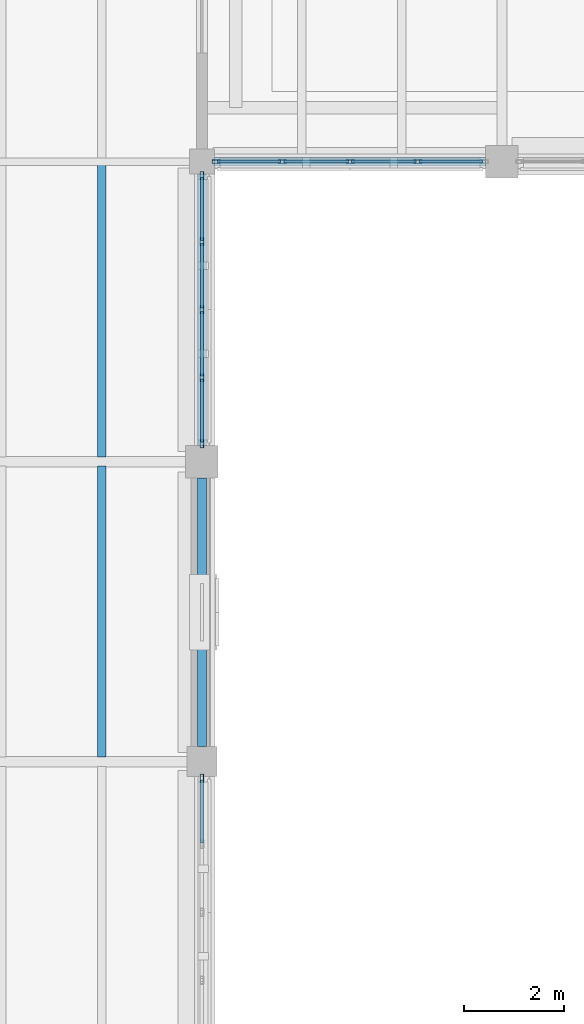
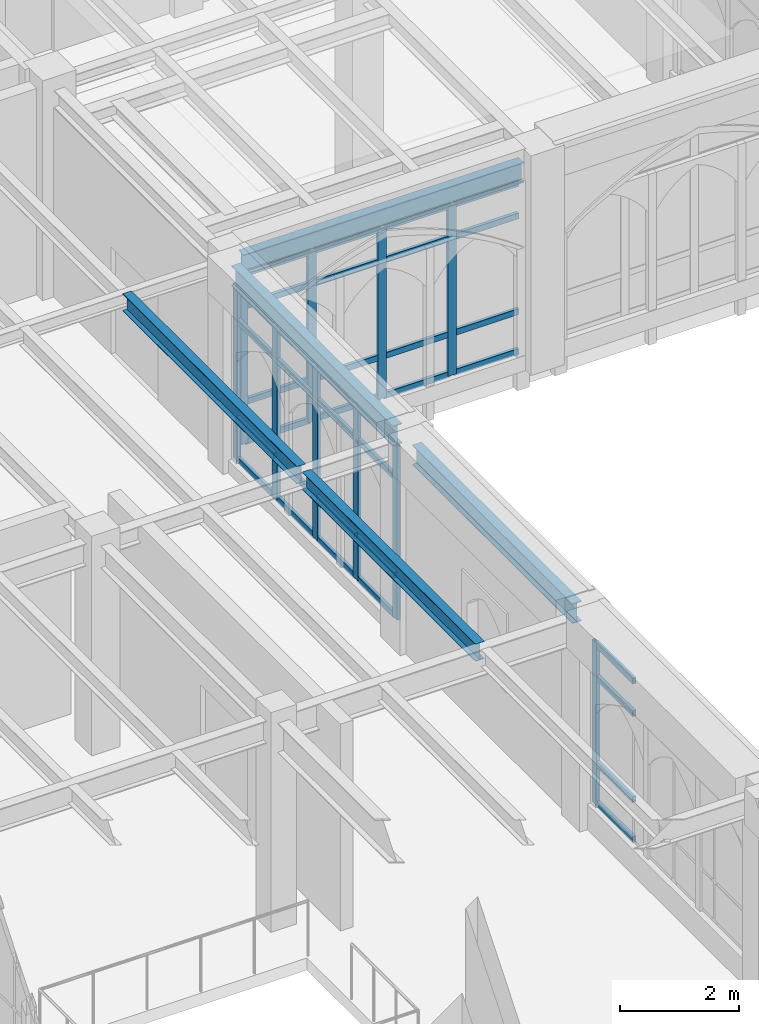
# One storey, part 40 of 127: 46 members, 5 beams, 3 elements without a shape of their own.
"""IFC4 building model written with IfcOpenShell, lengths in metres."""

from ifc_helpers import new_model, si_unit, direction, frame, origin, origin_2d, place, context, subcontext, project, spatial, hollow_rectangle, i_section, extrude, material, layer, layer_set, material_profile, profile_set, type_object, element, aggregate, save


model = new_model("IFC4")

# Units and contexts
model_context = context("Model", 3, precision=1e-05, world=origin(), true_north=direction((0.0, 1.0)))
body_context = subcontext(model_context, "Body", "Model", "MODEL_VIEW")
ifc_project = project(units=[si_unit("LENGTHUNIT", "METRE"), si_unit("AREAUNIT", "SQUARE_METRE"), si_unit("VOLUMEUNIT", "CUBIC_METRE"), si_unit("PLANEANGLEUNIT", "RADIAN"), si_unit("MASSUNIT", "GRAM", prefix="KILO")], contexts=[model_context])

# Site, building, storey
site_placement = place(None, origin())
site = spatial("IfcSite", under=ifc_project, at=site_placement, CompositionType="ELEMENT")
building_placement = place(site_placement, origin())
building = spatial("IfcBuilding", under=site, at=building_placement, Name="Cumevento Cable Car Station", CompositionType="ELEMENT")
storey_placement = place(building_placement, frame((0.0, 0.0, 4.5)))
storey = spatial("IfcBuildingStorey", under=building, at=storey_placement, Name="L02", CompositionType="ELEMENT", Elevation=4.5)

# Curtain wall, member
ifc_material_1 = material(Name="Anodised Bronze Aluminium AW-6063-T6", Category="aluminium")
ifc_layer_1 = layer(ifc_material_1, 0.201904296875)
ifc_layer_set_1 = layer_set([ifc_layer_1], Name="Anodised Bronze Aluminium AW-6063-T6")
curtain_wall_type_1 = type_object("IfcCurtainWallType", Name="Lancet Curtain Wall CW-08 1330", PredefinedType="NOTDEFINED", material=ifc_layer_set_1)
curtain_wall_1_placement = place(storey_placement, origin())
curtain_wall_1 = element("IfcCurtainWall", 1, at=curtain_wall_1_placement, inside=storey, type_object=curtain_wall_type_1, Name="Lancet Curtain Wall CW-08 L02 #39", PredefinedType="NOTDEFINED")
ifc_material_2 = material(Name="Anodised Bronze Aluminium AW-6063-T6", Category="aluminium")
ifc_material_profile_1 = material_profile(ifc_material_2, hollow_rectangle(XDim=0.06494140625, YDim=0.159912109375, WallThickness=0.00390625, at=origin_2d()), Name="ALUM65x160x4")
ifc_profile_set_1 = profile_set([ifc_material_profile_1], Name="Anodised Bronze Aluminium AW-6063-T6")
member_type_1 = type_object("IfcMemberType", Name="Curtain Mullion CWM-01 ALUM65x160x4", PredefinedType="MULLION", material=ifc_profile_set_1)
member_1_placement = place(storey_placement, frame((70.0, 20.66748046875, 0.52001953125), z_axis=(0.0, 0.0, 1.0), x_axis=(1.0, 0.0, 0.0)))
member_1 = element("IfcMember", 2, at=member_1_placement, type_object=member_type_1, Name="CW-08 mullion 1", PredefinedType="MULLION", context=body_context, shape_type="SweptSolid", body=[
    extrude(hollow_rectangle(XDim=0.06494140625, YDim=0.159912109375, WallThickness=0.00390625, at=origin_2d()), origin(), (0.0, 0.0, 1.0), 3.31298828125),
])

# Curtain wall, members
ifc_material_3 = material(Name="Anodised Bronze Aluminium AW-6063-T6", Category="aluminium")
ifc_layer_2 = layer(ifc_material_3, 0.219970703125)
ifc_layer_set_2 = layer_set([ifc_layer_2], Name="Anodised Bronze Aluminium AW-6063-T6")
curtain_wall_type_2 = type_object("IfcCurtainWallType", Name="Lancet Curtain Wall CW-11 1450", PredefinedType="NOTDEFINED", material=ifc_layer_set_2)
curtain_wall_2_placement = place(storey_placement, origin())
curtain_wall_2 = element("IfcCurtainWall", 3, at=curtain_wall_2_placement, inside=storey, type_object=curtain_wall_type_2, Name="Lancet Curtain Wall CW-11 L02 #42", PredefinedType="NOTDEFINED")
member_2_placement = place(storey_placement, frame((70.0, 32.717529296875, 0.260009765625), z_axis=(0.0, 0.0, 1.0), x_axis=(1.0, 0.0, 0.0)))
member_2 = element("IfcMember", 4, at=member_2_placement, type_object=member_type_1, Name="CW-11 mullion 1", PredefinedType="MULLION", context=body_context, shape_type="SweptSolid", body=[
    extrude(hollow_rectangle(XDim=0.06494140625, YDim=0.159912109375, WallThickness=0.00390625, at=origin_2d()), origin(), (0.0, 0.0, 1.0), 3.56103515625),
])
member_3_placement = place(storey_placement, frame((70.0, 31.393798828125, 0.260009765625), z_axis=(0.0, 0.0, 1.0), x_axis=(1.0, 0.0, 0.0)))
member_3 = element("IfcMember", 5, at=member_3_placement, type_object=member_type_1, Name="CW-11 mullion 2", PredefinedType="MULLION", context=body_context, shape_type="SweptSolid", body=[
    extrude(hollow_rectangle(XDim=0.06494140625, YDim=0.159912109375, WallThickness=0.00390625, at=origin_2d()), origin(), (0.0, 0.0, 1.0), 3.56103515625),
])
member_4_placement = place(storey_placement, frame((70.0, 30.03759765625, 0.260009765625), z_axis=(0.0, 0.0, 1.0), x_axis=(1.0, 0.0, 0.0)))
member_4 = element("IfcMember", 6, at=member_4_placement, type_object=member_type_1, Name="CW-11 mullion 3", PredefinedType="MULLION", context=body_context, shape_type="SweptSolid", body=[
    extrude(hollow_rectangle(XDim=0.06494140625, YDim=0.159912109375, WallThickness=0.00390625, at=origin_2d()), origin(), (0.0, 0.0, 1.0), 3.56103515625),
])
member_5_placement = place(storey_placement, frame((70.0, 28.68115234375, 0.260009765625), z_axis=(0.0, 0.0, 1.0), x_axis=(1.0, 0.0, 0.0)))
member_5 = element("IfcMember", 7, at=member_5_placement, type_object=member_type_1, Name="CW-11 mullion 4", PredefinedType="MULLION", context=body_context, shape_type="SweptSolid", body=[
    extrude(hollow_rectangle(XDim=0.06494140625, YDim=0.159912109375, WallThickness=0.00390625, at=origin_2d()), origin(), (0.0, 0.0, 1.0), 3.56103515625),
])
member_6_placement = place(storey_placement, frame((70.0, 27.357421875, 0.260009765625), z_axis=(0.0, 0.0, 1.0), x_axis=(1.0, 0.0, 0.0)))
member_6 = element("IfcMember", 8, at=member_6_placement, type_object=member_type_1, Name="CW-11 mullion 5", PredefinedType="MULLION", context=body_context, shape_type="SweptSolid", body=[
    extrude(hollow_rectangle(XDim=0.06494140625, YDim=0.159912109375, WallThickness=0.00390625, at=origin_2d()), origin(), (0.0, 0.0, 1.0), 3.56103515625),
])

ifc_material_4 = material(Name="Anodised Bronze Aluminium AW-6063-T6", Category="aluminium")
ifc_layer_3 = layer(ifc_material_4, 0.22607421875)
ifc_layer_set_3 = layer_set([ifc_layer_3], Name="Anodised Bronze Aluminium AW-6063-T6")
curtain_wall_type_3 = type_object("IfcCurtainWallType", Name="Lancet Curtain Wall CW-12 1490", PredefinedType="NOTDEFINED", material=ifc_layer_set_3)
curtain_wall_3_placement = place(storey_placement, origin())
curtain_wall_3 = element("IfcCurtainWall", 9, at=curtain_wall_3_placement, inside=storey, type_object=curtain_wall_type_3, Name="Lancet Curtain Wall CW-12 L02 #43", PredefinedType="NOTDEFINED")
member_7_placement = place(storey_placement, frame((74.31884765625, 33.0, 0.31005859375), z_axis=(0.0, 0.0, 1.0), x_axis=(0.0, -1.0, 0.0)))
member_7 = element("IfcMember", 10, at=member_7_placement, type_object=member_type_1, Name="CW-12 mullion 2", PredefinedType="MULLION", context=body_context, shape_type="SweptSolid", body=[
    extrude(hollow_rectangle(XDim=0.06494140625, YDim=0.159912109375, WallThickness=0.00390625, at=origin_2d()), origin(), (0.0, 0.0, 1.0), 3.510986328125),
])
member_8_placement = place(storey_placement, frame((72.96240234375, 33.0, 0.31005859375), z_axis=(0.0, 0.0, 1.0), x_axis=(0.0, -1.0, 0.0)))
member_8 = element("IfcMember", 11, at=member_8_placement, type_object=member_type_1, Name="CW-12 mullion 3", PredefinedType="MULLION", context=body_context, shape_type="SweptSolid", body=[
    extrude(hollow_rectangle(XDim=0.06494140625, YDim=0.159912109375, WallThickness=0.00390625, at=origin_2d()), origin(), (0.0, 0.0, 1.0), 3.510986328125),
])
member_9_placement = place(storey_placement, frame((71.606201171875, 33.0, 0.31005859375), z_axis=(0.0, 0.0, 1.0), x_axis=(0.0, -1.0, 0.0)))
member_9 = element("IfcMember", 12, at=member_9_placement, type_object=member_type_1, Name="CW-12 mullion 4", PredefinedType="MULLION", context=body_context, shape_type="SweptSolid", body=[
    extrude(hollow_rectangle(XDim=0.06494140625, YDim=0.159912109375, WallThickness=0.00390625, at=origin_2d()), origin(), (0.0, 0.0, 1.0), 3.510986328125),
])
member_10_placement = place(storey_placement, frame((70.282470703125, 33.0, 0.31005859375), z_axis=(0.0, 0.0, 1.0), x_axis=(0.0, -1.0, 0.0)))
member_10 = element("IfcMember", 13, at=member_10_placement, type_object=member_type_1, Name="CW-12 mullion 5", PredefinedType="MULLION", context=body_context, shape_type="SweptSolid", body=[
    extrude(hollow_rectangle(XDim=0.06494140625, YDim=0.159912109375, WallThickness=0.00390625, at=origin_2d()), origin(), (0.0, 0.0, 1.0), 3.510986328125),
])

# Member
ifc_material_5 = material(Name="Anodised Bronze Aluminium AW-6063-T6", Category="aluminium")
ifc_material_profile_2 = material_profile(ifc_material_5, hollow_rectangle(XDim=0.06494140625, YDim=0.1201171875, WallThickness=0.00390625, at=origin_2d()), Name="ALUT65x120x4")
ifc_profile_set_2 = profile_set([ifc_material_profile_2], Name="Anodised Bronze Aluminium AW-6063-T6")
member_type_2 = type_object("IfcMemberType", Name="Curtain Transom CWT-01 ALUT65x120x4", PredefinedType="USERDEFINED", material=ifc_profile_set_2)
member_11_placement = place(storey_placement, frame((70.0, 20.635009765625, 0.552490234375), z_axis=(0.0, -1.0, 0.0), x_axis=(1.0, 0.0, 0.0)))
member_11 = element("IfcMember", 14, at=member_11_placement, type_object=member_type_2, Name="CW-08 transom 1.1", ObjectType="TRANSOM", PredefinedType="USERDEFINED", context=body_context, shape_type="SweptSolid", body=[
    extrude(hollow_rectangle(XDim=0.06494140625, YDim=0.1201171875, WallThickness=0.00390625, at=origin_2d()), origin(), (0.0, 0.0, 1.0), 1.2587890625),
])

member_12_placement = place(storey_placement, frame((70.0, 20.635009765625, 1.3701171875), z_axis=(0.0, -1.0, 0.0), x_axis=(1.0, 0.0, 0.0)))
member_12 = element("IfcMember", 15, at=member_12_placement, type_object=member_type_2, Name="CW-08 transom 1.2", ObjectType="TRANSOM", PredefinedType="USERDEFINED", context=body_context, shape_type="SweptSolid", body=[
    extrude(hollow_rectangle(XDim=0.06494140625, YDim=0.1201171875, WallThickness=0.00390625, at=origin_2d()), origin(), (0.0, 0.0, 1.0), 1.2587890625),
])

member_13_placement = place(storey_placement, frame((70.0, 20.635009765625, 3.133056640625), z_axis=(0.0, -1.0, 0.0), x_axis=(1.0, 0.0, 0.0)))
member_13 = element("IfcMember", 16, at=member_13_placement, type_object=member_type_2, Name="CW-08 transom 1.3", ObjectType="TRANSOM", PredefinedType="USERDEFINED", context=body_context, shape_type="SweptSolid", body=[
    extrude(hollow_rectangle(XDim=0.06494140625, YDim=0.1201171875, WallThickness=0.00390625, at=origin_2d()), origin(), (0.0, 0.0, 1.0), 1.2587890625),
])

member_14_placement = place(storey_placement, frame((70.0, 20.635009765625, 3.800537109375), z_axis=(0.0, -1.0, 0.0), x_axis=(1.0, 0.0, 0.0)))
member_14 = element("IfcMember", 17, at=member_14_placement, type_object=member_type_2, Name="CW-08 transom 1.4", ObjectType="TRANSOM", PredefinedType="USERDEFINED", context=body_context, shape_type="SweptSolid", body=[
    extrude(hollow_rectangle(XDim=0.06494140625, YDim=0.1201171875, WallThickness=0.00390625, at=origin_2d()), origin(), (0.0, 0.0, 1.0), 1.2587890625),
])

aggregate(curtain_wall_1, [member_1, member_11, member_12, member_13, member_14])

member_15_placement = place(storey_placement, frame((70.0, 32.68505859375, 0.29248046875), z_axis=(0.0, -1.0, 0.0), x_axis=(1.0, 0.0, 0.0)))
member_15 = element("IfcMember", 18, at=member_15_placement, type_object=member_type_2, Name="CW-11 transom 1.1", ObjectType="TRANSOM", PredefinedType="USERDEFINED", context=body_context, shape_type="SweptSolid", body=[
    extrude(hollow_rectangle(XDim=0.06494140625, YDim=0.1201171875, WallThickness=0.00390625, at=origin_2d()), origin(), (0.0, 0.0, 1.0), 1.2587890625),
])

member_16_placement = place(storey_placement, frame((70.0, 32.68505859375, 1.110107421875), z_axis=(0.0, -1.0, 0.0), x_axis=(1.0, 0.0, 0.0)))
member_16 = element("IfcMember", 19, at=member_16_placement, type_object=member_type_2, Name="CW-11 transom 1.2", ObjectType="TRANSOM", PredefinedType="USERDEFINED", context=body_context, shape_type="SweptSolid", body=[
    extrude(hollow_rectangle(XDim=0.06494140625, YDim=0.1201171875, WallThickness=0.00390625, at=origin_2d()), origin(), (0.0, 0.0, 1.0), 1.2587890625),
])

member_17_placement = place(storey_placement, frame((70.0, 32.68505859375, 3.12109375), z_axis=(0.0, -1.0, 0.0), x_axis=(1.0, 0.0, 0.0)))
member_17 = element("IfcMember", 20, at=member_17_placement, type_object=member_type_2, Name="CW-11 transom 1.3", ObjectType="TRANSOM", PredefinedType="USERDEFINED", context=body_context, shape_type="SweptSolid", body=[
    extrude(hollow_rectangle(XDim=0.06494140625, YDim=0.1201171875, WallThickness=0.00390625, at=origin_2d()), origin(), (0.0, 0.0, 1.0), 1.2587890625),
])

member_18_placement = place(storey_placement, frame((70.0, 32.68505859375, 3.78857421875), z_axis=(0.0, -1.0, 0.0), x_axis=(1.0, 0.0, 0.0)))
member_18 = element("IfcMember", 21, at=member_18_placement, type_object=member_type_2, Name="CW-11 transom 1.4", ObjectType="TRANSOM", PredefinedType="USERDEFINED", context=body_context, shape_type="SweptSolid", body=[
    extrude(hollow_rectangle(XDim=0.06494140625, YDim=0.1201171875, WallThickness=0.00390625, at=origin_2d()), origin(), (0.0, 0.0, 1.0), 1.2587890625),
])

member_19_placement = place(storey_placement, frame((70.0, 31.361328125, 0.29248046875), z_axis=(0.0, -1.0, 0.0), x_axis=(1.0, 0.0, 0.0)))
member_19 = element("IfcMember", 22, at=member_19_placement, type_object=member_type_2, Name="CW-11 transom 2.1", ObjectType="TRANSOM", PredefinedType="USERDEFINED", context=body_context, shape_type="SweptSolid", body=[
    extrude(hollow_rectangle(XDim=0.06494140625, YDim=0.1201171875, WallThickness=0.00390625, at=origin_2d()), origin(), (0.0, 0.0, 1.0), 1.291259765625),
])

member_20_placement = place(storey_placement, frame((70.0, 31.361328125, 1.110107421875), z_axis=(0.0, -1.0, 0.0), x_axis=(1.0, 0.0, 0.0)))
member_20 = element("IfcMember", 23, at=member_20_placement, type_object=member_type_2, Name="CW-11 transom 2.2", ObjectType="TRANSOM", PredefinedType="USERDEFINED", context=body_context, shape_type="SweptSolid", body=[
    extrude(hollow_rectangle(XDim=0.06494140625, YDim=0.1201171875, WallThickness=0.00390625, at=origin_2d()), origin(), (0.0, 0.0, 1.0), 1.291259765625),
])

member_21_placement = place(storey_placement, frame((70.0, 31.361328125, 3.12109375), z_axis=(0.0, -1.0, 0.0), x_axis=(1.0, 0.0, 0.0)))
member_21 = element("IfcMember", 24, at=member_21_placement, type_object=member_type_2, Name="CW-11 transom 2.3", ObjectType="TRANSOM", PredefinedType="USERDEFINED", context=body_context, shape_type="SweptSolid", body=[
    extrude(hollow_rectangle(XDim=0.06494140625, YDim=0.1201171875, WallThickness=0.00390625, at=origin_2d()), origin(), (0.0, 0.0, 1.0), 1.291259765625),
])

member_22_placement = place(storey_placement, frame((70.0, 31.361328125, 3.78857421875), z_axis=(0.0, -1.0, 0.0), x_axis=(1.0, 0.0, 0.0)))
member_22 = element("IfcMember", 25, at=member_22_placement, type_object=member_type_2, Name="CW-11 transom 2.4", ObjectType="TRANSOM", PredefinedType="USERDEFINED", context=body_context, shape_type="SweptSolid", body=[
    extrude(hollow_rectangle(XDim=0.06494140625, YDim=0.1201171875, WallThickness=0.00390625, at=origin_2d()), origin(), (0.0, 0.0, 1.0), 1.291259765625),
])

member_23_placement = place(storey_placement, frame((70.0, 30.0048828125, 0.29248046875), z_axis=(0.0, -1.0, 0.0), x_axis=(1.0, 0.0, 0.0)))
member_23 = element("IfcMember", 26, at=member_23_placement, type_object=member_type_2, Name="CW-11 transom 3.1", ObjectType="TRANSOM", PredefinedType="USERDEFINED", context=body_context, shape_type="SweptSolid", body=[
    extrude(hollow_rectangle(XDim=0.06494140625, YDim=0.1201171875, WallThickness=0.00390625, at=origin_2d()), origin(), (0.0, 0.0, 1.0), 1.291015625),
])

member_24_placement = place(storey_placement, frame((70.0, 30.0048828125, 1.110107421875), z_axis=(0.0, -1.0, 0.0), x_axis=(1.0, 0.0, 0.0)))
member_24 = element("IfcMember", 27, at=member_24_placement, type_object=member_type_2, Name="CW-11 transom 3.2", ObjectType="TRANSOM", PredefinedType="USERDEFINED", context=body_context, shape_type="SweptSolid", body=[
    extrude(hollow_rectangle(XDim=0.06494140625, YDim=0.1201171875, WallThickness=0.00390625, at=origin_2d()), origin(), (0.0, 0.0, 1.0), 1.291015625),
])

member_25_placement = place(storey_placement, frame((70.0, 30.0048828125, 3.12109375), z_axis=(0.0, -1.0, 0.0), x_axis=(1.0, 0.0, 0.0)))
member_25 = element("IfcMember", 28, at=member_25_placement, type_object=member_type_2, Name="CW-11 transom 3.3", ObjectType="TRANSOM", PredefinedType="USERDEFINED", context=body_context, shape_type="SweptSolid", body=[
    extrude(hollow_rectangle(XDim=0.06494140625, YDim=0.1201171875, WallThickness=0.00390625, at=origin_2d()), origin(), (0.0, 0.0, 1.0), 1.291015625),
])

member_26_placement = place(storey_placement, frame((70.0, 30.0048828125, 3.78857421875), z_axis=(0.0, -1.0, 0.0), x_axis=(1.0, 0.0, 0.0)))
member_26 = element("IfcMember", 29, at=member_26_placement, type_object=member_type_2, Name="CW-11 transom 3.4", ObjectType="TRANSOM", PredefinedType="USERDEFINED", context=body_context, shape_type="SweptSolid", body=[
    extrude(hollow_rectangle(XDim=0.06494140625, YDim=0.1201171875, WallThickness=0.00390625, at=origin_2d()), origin(), (0.0, 0.0, 1.0), 1.291015625),
])

member_27_placement = place(storey_placement, frame((70.0, 28.648681640625, 0.29248046875), z_axis=(0.0, -1.0, 0.0), x_axis=(1.0, 0.0, 0.0)))
member_27 = element("IfcMember", 30, at=member_27_placement, type_object=member_type_2, Name="CW-11 transom 4.1", ObjectType="TRANSOM", PredefinedType="USERDEFINED", context=body_context, shape_type="SweptSolid", body=[
    extrude(hollow_rectangle(XDim=0.06494140625, YDim=0.1201171875, WallThickness=0.00390625, at=origin_2d()), origin(), (0.0, 0.0, 1.0), 1.2587890625),
])

member_28_placement = place(storey_placement, frame((70.0, 28.648681640625, 1.110107421875), z_axis=(0.0, -1.0, 0.0), x_axis=(1.0, 0.0, 0.0)))
member_28 = element("IfcMember", 31, at=member_28_placement, type_object=member_type_2, Name="CW-11 transom 4.2", ObjectType="TRANSOM", PredefinedType="USERDEFINED", context=body_context, shape_type="SweptSolid", body=[
    extrude(hollow_rectangle(XDim=0.06494140625, YDim=0.1201171875, WallThickness=0.00390625, at=origin_2d()), origin(), (0.0, 0.0, 1.0), 1.2587890625),
])

member_29_placement = place(storey_placement, frame((70.0, 28.648681640625, 3.12109375), z_axis=(0.0, -1.0, 0.0), x_axis=(1.0, 0.0, 0.0)))
member_29 = element("IfcMember", 32, at=member_29_placement, type_object=member_type_2, Name="CW-11 transom 4.3", ObjectType="TRANSOM", PredefinedType="USERDEFINED", context=body_context, shape_type="SweptSolid", body=[
    extrude(hollow_rectangle(XDim=0.06494140625, YDim=0.1201171875, WallThickness=0.00390625, at=origin_2d()), origin(), (0.0, 0.0, 1.0), 1.2587890625),
])

member_30_placement = place(storey_placement, frame((70.0, 28.648681640625, 3.78857421875), z_axis=(0.0, -1.0, 0.0), x_axis=(1.0, 0.0, 0.0)))
member_30 = element("IfcMember", 33, at=member_30_placement, type_object=member_type_2, Name="CW-11 transom 4.4", ObjectType="TRANSOM", PredefinedType="USERDEFINED", context=body_context, shape_type="SweptSolid", body=[
    extrude(hollow_rectangle(XDim=0.06494140625, YDim=0.1201171875, WallThickness=0.00390625, at=origin_2d()), origin(), (0.0, 0.0, 1.0), 1.2587890625),
])

aggregate(curtain_wall_2, [member_2, member_3, member_4, member_5, member_6, member_15, member_16, member_17, member_18, member_19, member_20, member_21, member_22, member_23, member_24, member_25, member_26, member_27, member_28, member_29, member_30])

member_31_placement = place(storey_placement, frame((75.610107421875, 33.0, 0.342529296875), z_axis=(-1.0, 0.0, 0.0), x_axis=(0.0, -1.0, 0.0)))
member_31 = element("IfcMember", 34, at=member_31_placement, type_object=member_type_2, Name="CW-12 transom 1.1", ObjectType="TRANSOM", PredefinedType="USERDEFINED", context=body_context, shape_type="SweptSolid", body=[
    extrude(hollow_rectangle(XDim=0.06494140625, YDim=0.1201171875, WallThickness=0.00390625, at=origin_2d()), origin(), (0.0, 0.0, 1.0), 1.2587890625),
])

member_32_placement = place(storey_placement, frame((75.610107421875, 33.0, 1.159912109375), z_axis=(-1.0, 0.0, 0.0), x_axis=(0.0, -1.0, 0.0)))
member_32 = element("IfcMember", 35, at=member_32_placement, type_object=member_type_2, Name="CW-12 transom 1.2", ObjectType="TRANSOM", PredefinedType="USERDEFINED", context=body_context, shape_type="SweptSolid", body=[
    extrude(hollow_rectangle(XDim=0.06494140625, YDim=0.1201171875, WallThickness=0.00390625, at=origin_2d()), origin(), (0.0, 0.0, 1.0), 1.2587890625),
])

member_33_placement = place(storey_placement, frame((75.610107421875, 33.0, 3.12109375), z_axis=(-1.0, 0.0, 0.0), x_axis=(0.0, -1.0, 0.0)))
member_33 = element("IfcMember", 36, at=member_33_placement, type_object=member_type_2, Name="CW-12 transom 1.3", ObjectType="TRANSOM", PredefinedType="USERDEFINED", context=body_context, shape_type="SweptSolid", body=[
    extrude(hollow_rectangle(XDim=0.06494140625, YDim=0.1201171875, WallThickness=0.00390625, at=origin_2d()), origin(), (0.0, 0.0, 1.0), 1.2587890625),
])

member_34_placement = place(storey_placement, frame((75.610107421875, 33.0, 3.78857421875), z_axis=(-1.0, 0.0, 0.0), x_axis=(0.0, -1.0, 0.0)))
member_34 = element("IfcMember", 37, at=member_34_placement, type_object=member_type_2, Name="CW-12 transom 1.4", ObjectType="TRANSOM", PredefinedType="USERDEFINED", context=body_context, shape_type="SweptSolid", body=[
    extrude(hollow_rectangle(XDim=0.06494140625, YDim=0.1201171875, WallThickness=0.00390625, at=origin_2d()), origin(), (0.0, 0.0, 1.0), 1.2587890625),
])

member_35_placement = place(storey_placement, frame((74.2861328125, 33.0, 0.342529296875), z_axis=(-1.0, 0.0, 0.0), x_axis=(0.0, -1.0, 0.0)))
member_35 = element("IfcMember", 38, at=member_35_placement, type_object=member_type_2, Name="CW-12 transom 2.1", ObjectType="TRANSOM", PredefinedType="USERDEFINED", context=body_context, shape_type="SweptSolid", body=[
    extrude(hollow_rectangle(XDim=0.06494140625, YDim=0.1201171875, WallThickness=0.00390625, at=origin_2d()), origin(), (0.0, 0.0, 1.0), 1.291015625),
])

member_36_placement = place(storey_placement, frame((74.2861328125, 33.0, 1.159912109375), z_axis=(-1.0, 0.0, 0.0), x_axis=(0.0, -1.0, 0.0)))
member_36 = element("IfcMember", 39, at=member_36_placement, type_object=member_type_2, Name="CW-12 transom 2.2", ObjectType="TRANSOM", PredefinedType="USERDEFINED", context=body_context, shape_type="SweptSolid", body=[
    extrude(hollow_rectangle(XDim=0.06494140625, YDim=0.1201171875, WallThickness=0.00390625, at=origin_2d()), origin(), (0.0, 0.0, 1.0), 1.291015625),
])

member_37_placement = place(storey_placement, frame((74.2861328125, 33.0, 3.12109375), z_axis=(-1.0, 0.0, 0.0), x_axis=(0.0, -1.0, 0.0)))
member_37 = element("IfcMember", 40, at=member_37_placement, type_object=member_type_2, Name="CW-12 transom 2.3", ObjectType="TRANSOM", PredefinedType="USERDEFINED", context=body_context, shape_type="SweptSolid", body=[
    extrude(hollow_rectangle(XDim=0.06494140625, YDim=0.1201171875, WallThickness=0.00390625, at=origin_2d()), origin(), (0.0, 0.0, 1.0), 1.291015625),
])

member_38_placement = place(storey_placement, frame((74.2861328125, 33.0, 3.78857421875), z_axis=(-1.0, 0.0, 0.0), x_axis=(0.0, -1.0, 0.0)))
member_38 = element("IfcMember", 41, at=member_38_placement, type_object=member_type_2, Name="CW-12 transom 2.4", ObjectType="TRANSOM", PredefinedType="USERDEFINED", context=body_context, shape_type="SweptSolid", body=[
    extrude(hollow_rectangle(XDim=0.06494140625, YDim=0.1201171875, WallThickness=0.00390625, at=origin_2d()), origin(), (0.0, 0.0, 1.0), 1.291015625),
])

member_39_placement = place(storey_placement, frame((72.929931640625, 33.0, 0.342529296875), z_axis=(-1.0, 0.0, 0.0), x_axis=(0.0, -1.0, 0.0)))
member_39 = element("IfcMember", 42, at=member_39_placement, type_object=member_type_2, Name="CW-12 transom 3.1", ObjectType="TRANSOM", PredefinedType="USERDEFINED", context=body_context, shape_type="SweptSolid", body=[
    extrude(hollow_rectangle(XDim=0.06494140625, YDim=0.1201171875, WallThickness=0.00390625, at=origin_2d()), origin(), (0.0, 0.0, 1.0), 1.291259765625),
])

member_40_placement = place(storey_placement, frame((72.929931640625, 33.0, 1.159912109375), z_axis=(-1.0, 0.0, 0.0), x_axis=(0.0, -1.0, 0.0)))
member_40 = element("IfcMember", 43, at=member_40_placement, type_object=member_type_2, Name="CW-12 transom 3.2", ObjectType="TRANSOM", PredefinedType="USERDEFINED", context=body_context, shape_type="SweptSolid", body=[
    extrude(hollow_rectangle(XDim=0.06494140625, YDim=0.1201171875, WallThickness=0.00390625, at=origin_2d()), origin(), (0.0, 0.0, 1.0), 1.291259765625),
])

member_41_placement = place(storey_placement, frame((72.929931640625, 33.0, 3.12109375), z_axis=(-1.0, 0.0, 0.0), x_axis=(0.0, -1.0, 0.0)))
member_41 = element("IfcMember", 44, at=member_41_placement, type_object=member_type_2, Name="CW-12 transom 3.3", ObjectType="TRANSOM", PredefinedType="USERDEFINED", context=body_context, shape_type="SweptSolid", body=[
    extrude(hollow_rectangle(XDim=0.06494140625, YDim=0.1201171875, WallThickness=0.00390625, at=origin_2d()), origin(), (0.0, 0.0, 1.0), 1.291259765625),
])

member_42_placement = place(storey_placement, frame((72.929931640625, 33.0, 3.78857421875), z_axis=(-1.0, 0.0, 0.0), x_axis=(0.0, -1.0, 0.0)))
member_42 = element("IfcMember", 45, at=member_42_placement, type_object=member_type_2, Name="CW-12 transom 3.4", ObjectType="TRANSOM", PredefinedType="USERDEFINED", context=body_context, shape_type="SweptSolid", body=[
    extrude(hollow_rectangle(XDim=0.06494140625, YDim=0.1201171875, WallThickness=0.00390625, at=origin_2d()), origin(), (0.0, 0.0, 1.0), 1.291259765625),
])

member_43_placement = place(storey_placement, frame((71.57373046875, 33.0, 0.342529296875), z_axis=(-1.0, 0.0, 0.0), x_axis=(0.0, -1.0, 0.0)))
member_43 = element("IfcMember", 46, at=member_43_placement, type_object=member_type_2, Name="CW-12 transom 4.1", ObjectType="TRANSOM", PredefinedType="USERDEFINED", context=body_context, shape_type="SweptSolid", body=[
    extrude(hollow_rectangle(XDim=0.06494140625, YDim=0.1201171875, WallThickness=0.00390625, at=origin_2d()), origin(), (0.0, 0.0, 1.0), 1.2587890625),
])

member_44_placement = place(storey_placement, frame((71.57373046875, 33.0, 1.159912109375), z_axis=(-1.0, 0.0, 0.0), x_axis=(0.0, -1.0, 0.0)))
member_44 = element("IfcMember", 47, at=member_44_placement, type_object=member_type_2, Name="CW-12 transom 4.2", ObjectType="TRANSOM", PredefinedType="USERDEFINED", context=body_context, shape_type="SweptSolid", body=[
    extrude(hollow_rectangle(XDim=0.06494140625, YDim=0.1201171875, WallThickness=0.00390625, at=origin_2d()), origin(), (0.0, 0.0, 1.0), 1.2587890625),
])

member_45_placement = place(storey_placement, frame((71.57373046875, 33.0, 3.12109375), z_axis=(-1.0, 0.0, 0.0), x_axis=(0.0, -1.0, 0.0)))
member_45 = element("IfcMember", 48, at=member_45_placement, type_object=member_type_2, Name="CW-12 transom 4.3", ObjectType="TRANSOM", PredefinedType="USERDEFINED", context=body_context, shape_type="SweptSolid", body=[
    extrude(hollow_rectangle(XDim=0.06494140625, YDim=0.1201171875, WallThickness=0.00390625, at=origin_2d()), origin(), (0.0, 0.0, 1.0), 1.2587890625),
])

member_46_placement = place(storey_placement, frame((71.57373046875, 33.0, 3.78857421875), z_axis=(-1.0, 0.0, 0.0), x_axis=(0.0, -1.0, 0.0)))
member_46 = element("IfcMember", 49, at=member_46_placement, type_object=member_type_2, Name="CW-12 transom 4.4", ObjectType="TRANSOM", PredefinedType="USERDEFINED", context=body_context, shape_type="SweptSolid", body=[
    extrude(hollow_rectangle(XDim=0.06494140625, YDim=0.1201171875, WallThickness=0.00390625, at=origin_2d()), origin(), (0.0, 0.0, 1.0), 1.2587890625),
])

aggregate(curtain_wall_3, [member_7, member_8, member_9, member_10, member_31, member_32, member_33, member_34, member_35, member_36, member_37, member_38, member_39, member_40, member_41, member_42, member_43, member_44, member_45, member_46])

# Beams
ifc_material_6 = material(Name="Steel ASTM A572 Grade 50", Category="steel")
ifc_material_profile_3 = material_profile(ifc_material_6, i_section(OverallWidth=0.1708984375, OverallDepth=0.35498046875, WebThickness=0.007080078125, FlangeThickness=0.01171875, at=origin_2d()), Name="W360x51.0")
ifc_profile_set_3 = profile_set([ifc_material_profile_3], Name="Steel ASTM A572 Grade 50")
beam_type_1 = type_object("IfcBeamType", Name="Structural Joist JS-01 W360x51.0", PredefinedType="JOIST", material=ifc_profile_set_3)
beam_1_placement = place(storey_placement, frame((68.0, 21.093505859375, 4.0625), z_axis=(0.0, 1.0, 0.0), x_axis=(-1.0, 0.0, 0.0)))
element("IfcBeam", 50, at=beam_1_placement, inside=storey, type_object=beam_type_1, Name="Composite Floor Joist JS-01 L02 #767", PredefinedType="JOIST", context=body_context, shape_type="SweptSolid", body=[
    extrude(i_section(OverallWidth=0.1708984375, OverallDepth=0.35498046875, WebThickness=0.007080078125, FlangeThickness=0.01171875, at=origin_2d()), origin(), (0.0, 0.0, 1.0), 5.81591796875),
])
beam_2_placement = place(storey_placement, frame((68.0, 27.090576171875, 4.0625), z_axis=(0.0, 1.0, 0.0), x_axis=(-1.0, 0.0, 0.0)))
element("IfcBeam", 51, at=beam_2_placement, inside=storey, type_object=beam_type_1, Name="Composite Floor Joist JS-01 L02 #768", PredefinedType="JOIST", context=body_context, shape_type="SweptSolid", body=[
    extrude(i_section(OverallWidth=0.1708984375, OverallDepth=0.35498046875, WebThickness=0.007080078125, FlangeThickness=0.01171875, at=origin_2d()), origin(), (0.0, 0.0, 1.0), 5.847412109375),
])
ifc_material_7 = material(Name="Steel ASTM A572 Grade 50", Category="steel")
ifc_material_profile_4 = material_profile(ifc_material_7, i_section(OverallWidth=0.177978515625, OverallDepth=0.406982421875, WebThickness=0.0078125, FlangeThickness=0.0126953125, at=origin_2d()), Name="W410x60.0")
ifc_profile_set_4 = profile_set([ifc_material_profile_4], Name="Steel ASTM A572 Grade 50")
beam_type_2 = type_object("IfcBeamType", Name="Structural Spandrel SP-01 W410x60.0", PredefinedType="SPANDREL", material=ifc_profile_set_4)
beam_3_placement = place(storey_placement, frame((70.0, 21.300048828125, 4.03662109375), z_axis=(0.0, 1.0, 0.0), x_axis=(-1.0, 0.0, 0.0)))
element("IfcBeam", 52, at=beam_3_placement, inside=storey, type_object=beam_type_2, Name="Beam SP-01 L02 #499", PredefinedType="SPANDREL", context=body_context, shape_type="SweptSolid", body=[
    extrude(i_section(OverallWidth=0.177978515625, OverallDepth=0.406982421875, WebThickness=0.0078125, FlangeThickness=0.0126953125, at=origin_2d()), origin(), (0.0, 0.0, 1.0), 5.375),
])
for number, where, z_axis, x_axis, name in (
    (53, (70.0, 27.324951171875, 4.0244140625), (0.0, 1.0, 0.0), (-1.0, 0.0, 0.0), "Beam SP-01 L02 #500"),
    (54, (70.25, 33.0, 4.0244140625), (1.0, 0.0, 0.0), (0.0, 1.0, 0.0), "Beam SP-01 L02 #507"),
):
    element("IfcBeam", number, at=place(storey_placement, frame(where, z_axis=z_axis, x_axis=x_axis)), inside=storey, type_object=beam_type_2, Name=name, PredefinedType="SPANDREL", context=body_context, shape_type="SweptSolid", body=[
        extrude(i_section(OverallWidth=0.177978515625, OverallDepth=0.406982421875, WebThickness=0.0078125, FlangeThickness=0.0126953125, at=origin_2d()), origin(), (0.0, 0.0, 1.0), 5.425048828125),
    ])

save(model, "model.ifc")
